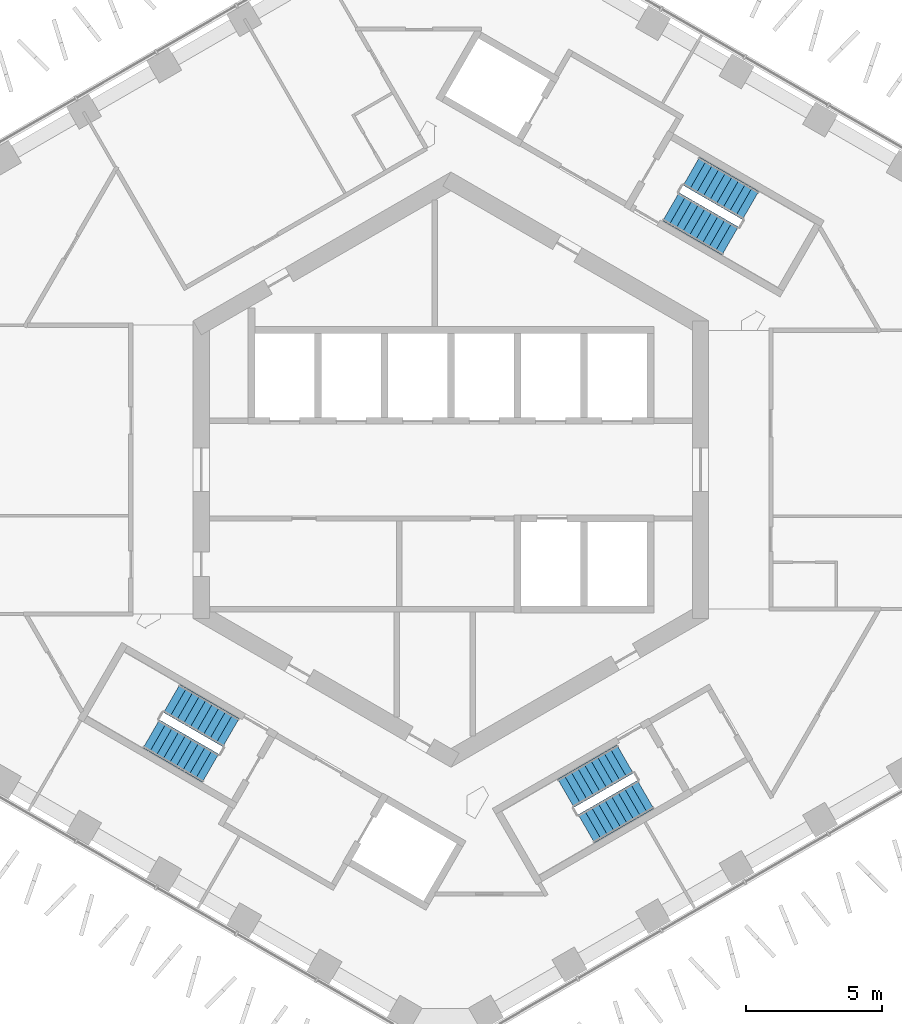
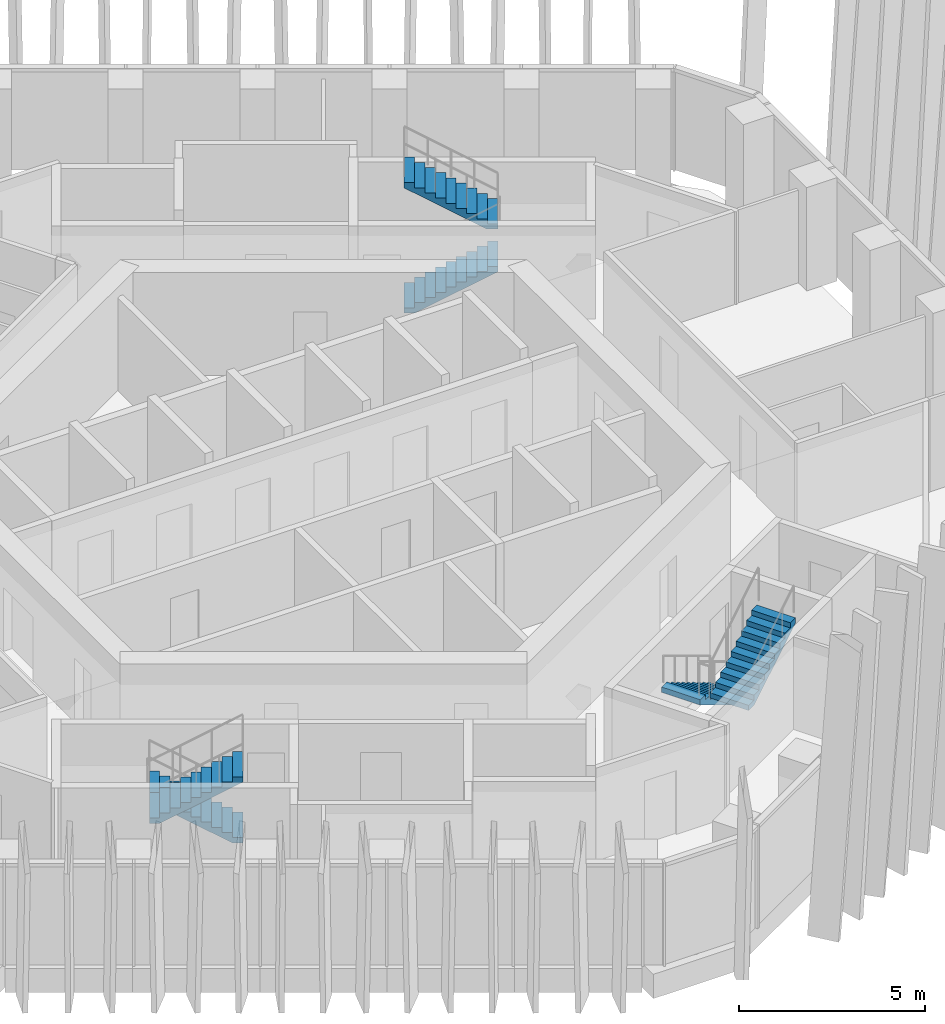
# One storey, part 16 of 20: 6 stair flights, 3 elements without a shape of their own.
"""IFC4 building model written with IfcOpenShell, lengths in metres."""

from ifc_helpers import new_model, si_unit, direction, frame, origin, place, context, subcontext, project, spatial, triangles, material, type_object, element, aggregate, save


model = new_model("IFC4")

# Units and contexts
model_context = context("Model", 3, precision=1e-05, world=origin(), true_north=direction((0.0, 1.0)))
body_context = subcontext(model_context, "Body", "Model", "MODEL_VIEW")
ifc_project = project(units=[si_unit("LENGTHUNIT", "METRE"), si_unit("AREAUNIT", "SQUARE_METRE"), si_unit("VOLUMEUNIT", "CUBIC_METRE"), si_unit("PLANEANGLEUNIT", "RADIAN"), si_unit("MASSUNIT", "GRAM", prefix="KILO")], contexts=[model_context])

# Site, building, storey
site_placement = place(None, origin())
site = spatial("IfcSite", under=ifc_project, at=site_placement, CompositionType="ELEMENT")
building_placement = place(site_placement, origin())
building = spatial("IfcBuilding", under=site, at=building_placement, Name="Ayvan Gate Tower", CompositionType="ELEMENT")
storey_placement = place(building_placement, frame((0.0, 0.0, 162.89990234375)))
storey = spatial("IfcBuildingStorey", under=building, at=storey_placement, Name="L43", CompositionType="ELEMENT", Elevation=162.89990234375)

# Stair, stair flights
ifc_material = material(Name="Concrete C40/50", Category="concrete")
stair_type = type_object("IfcStairType", Name="ST-EXIT", PredefinedType="HALF_TURN_STAIR", material=ifc_material)
stair_1_placement = place(storey_placement, origin())
stair_1 = element("IfcStair", 1, at=stair_1_placement, inside=storey, type_object=stair_type, Name="L43 Exit Stair S1", PredefinedType="HALF_TURN_STAIR")
stair_flight_type = type_object("IfcStairFlightType", Name="SFL-EXIT", PredefinedType="STRAIGHT", material=ifc_material)
stair_flight_1_placement = place(storey_placement, frame((8.106201171875, 9.690185546875, 0.0), z_axis=(0.0, 0.0, 1.0), x_axis=(0.866025403784, -0.5, 0.0)))
stair_flight_1 = element("IfcStairFlight", 2, at=stair_flight_1_placement, type_object=stair_flight_type, Name="STS1 flight 1", NumberOfRisers=10, NumberOfTreads=9, PredefinedType="STRAIGHT", RiserHeight=0.17, TreadLength=0.28, context=body_context, shape_type="Tessellation", body=[
    triangles([(0.288841, -0.599976, 0.0), (2.5205, -0.599976, 1.354936), (2.5205, -0.599976, 1.53), (2.24, -0.599976, 1.53), (2.24, -0.599976, 1.36), (1.96, -0.599976, 1.36), (1.96, -0.599976, 1.19), (1.68, -0.599976, 1.19), (1.68, -0.599976, 1.02), (1.4, -0.599976, 1.02), (1.4, -0.599976, 0.85), (1.12, -0.599976, 0.85), (1.12, -0.599976, 0.68), (0.84, -0.599976, 0.68), (0.84, -0.599976, 0.51), (0.56, -0.599976, 0.51), (0.56, -0.599976, 0.34), (0.28, -0.599976, 0.34), (0.28, -0.599976, 0.17), (-0.0005, -0.599976, 0.17), (-0.0005, -0.599976, 0.0), (0.288841, 0.0, 0.0), (2.5205, 0.0, 1.354936), (2.5205, 0.0, 1.53), (2.24, 0.0, 1.53), (2.24, 0.0, 1.36), (1.96, 0.0, 1.36), (1.96, 0.0, 1.19), (1.68, 0.0, 1.19), (1.68, 0.0, 1.02), (1.4, 0.0, 1.02), (1.4, 0.0, 0.85), (1.12, 0.0, 0.85), (1.12, 0.0, 0.68), (0.84, 0.0, 0.68), (0.84, 0.0, 0.51), (0.56, 0.0, 0.51), (0.56, 0.0, 0.34), (0.28, 0.0, 0.34), (0.28, 0.0, 0.17), (-0.0005, 0.0, 0.17), (-0.0005, 0.0, 0.0), (0.288841, 0.599976, 0.0), (2.5205, 0.599976, 1.354936), (2.5205, 0.599976, 1.53), (2.24, 0.599976, 1.53), (2.24, 0.599976, 1.36), (1.96, 0.599976, 1.36), (1.96, 0.599976, 1.19), (1.68, 0.599976, 1.19), (1.68, 0.599976, 1.02), (1.4, 0.599976, 1.02), (1.4, 0.599976, 0.85), (1.12, 0.599976, 0.85), (1.12, 0.599976, 0.68), (0.84, 0.599976, 0.68), (0.84, 0.599976, 0.51), (0.56, 0.599976, 0.51), (0.56, 0.599976, 0.34), (0.28, 0.599976, 0.34), (0.28, 0.599976, 0.17), (-0.0005, 0.599976, 0.17), (-0.0005, 0.599976, 0.0)], [[21, 1, 2], [63, 44, 43], [2, 3, 4], [44, 46, 45], [2, 4, 5], [44, 47, 46], [2, 5, 6], [44, 48, 47], [2, 6, 7], [44, 49, 48], [7, 8, 9], [49, 51, 50], [2, 7, 9], [44, 51, 49], [9, 10, 11], [51, 53, 52], [2, 9, 11], [44, 53, 51], [11, 12, 13], [53, 55, 54], [2, 11, 13], [44, 55, 53], [13, 14, 15], [55, 57, 56], [2, 13, 15], [44, 57, 55], [15, 16, 17], [57, 59, 58], [2, 15, 17], [44, 59, 57], [17, 18, 19], [59, 61, 60], [2, 17, 19], [44, 61, 59], [21, 2, 19], [63, 61, 44], [19, 20, 21], [61, 63, 62], [1, 22, 23], [1, 23, 2], [43, 23, 22], [43, 44, 23], [2, 23, 24], [2, 24, 3], [44, 24, 23], [44, 45, 24], [3, 24, 25], [3, 25, 4], [45, 25, 24], [45, 46, 25], [4, 25, 26], [4, 26, 5], [46, 26, 25], [46, 47, 26], [5, 26, 27], [5, 27, 6], [47, 27, 26], [47, 48, 27], [6, 27, 28], [6, 28, 7], [48, 28, 27], [48, 49, 28], [7, 28, 29], [7, 29, 8], [49, 29, 28], [49, 50, 29], [8, 29, 30], [8, 30, 9], [50, 30, 29], [50, 51, 30], [9, 30, 31], [9, 31, 10], [51, 31, 30], [51, 52, 31], [10, 31, 32], [10, 32, 11], [52, 32, 31], [52, 53, 32], [11, 32, 33], [11, 33, 12], [53, 33, 32], [53, 54, 33], [12, 33, 34], [12, 34, 13], [54, 34, 33], [54, 55, 34], [13, 34, 35], [13, 35, 14], [55, 35, 34], [55, 56, 35], [14, 35, 36], [14, 36, 15], [56, 36, 35], [56, 57, 36], [15, 36, 37], [15, 37, 16], [57, 37, 36], [57, 58, 37], [16, 37, 38], [16, 38, 17], [58, 38, 37], [58, 59, 38], [17, 38, 39], [17, 39, 18], [59, 39, 38], [59, 60, 39], [18, 39, 40], [18, 40, 19], [60, 40, 39], [60, 61, 40], [19, 40, 41], [19, 41, 20], [61, 41, 40], [61, 62, 41], [20, 41, 42], [20, 42, 21], [62, 42, 41], [62, 63, 42], [21, 42, 22], [21, 22, 1], [63, 22, 42], [63, 43, 22]], closed=True),
])
stair_flight_2_placement = place(storey_placement, frame((11.04345703125, 9.73779296875, 1.7001953125), z_axis=(0.0, 0.0, 1.0), x_axis=(-0.866025403784, 0.5, 0.0)))
stair_flight_2 = element("IfcStairFlight", 3, at=stair_flight_2_placement, type_object=stair_flight_type, Name="STS1 flight 2", NumberOfRisers=10, NumberOfTreads=9, PredefinedType="STRAIGHT", RiserHeight=0.17, TreadLength=0.28, context=body_context, shape_type="Tessellation", body=[
    triangles([(0.288841, -0.599976, 0.0), (2.5205, -0.599976, 1.354936), (2.5205, -0.599976, 1.53), (2.24, -0.599976, 1.53), (2.24, -0.599976, 1.36), (1.96, -0.599976, 1.36), (1.96, -0.599976, 1.19), (1.68, -0.599976, 1.19), (1.68, -0.599976, 1.02), (1.4, -0.599976, 1.02), (1.4, -0.599976, 0.85), (1.12, -0.599976, 0.85), (1.12, -0.599976, 0.68), (0.84, -0.599976, 0.68), (0.84, -0.599976, 0.51), (0.56, -0.599976, 0.51), (0.56, -0.599976, 0.34), (0.28, -0.599976, 0.34), (0.28, -0.599976, 0.17), (-0.0005, -0.599976, 0.17), (-0.0005, -0.599976, 0.0), (0.288841, 0.0, 0.0), (2.5205, 0.0, 1.354936), (2.5205, 0.0, 1.53), (2.24, 0.0, 1.53), (2.24, 0.0, 1.36), (1.96, 0.0, 1.36), (1.96, 0.0, 1.19), (1.68, 0.0, 1.19), (1.68, 0.0, 1.02), (1.4, 0.0, 1.02), (1.4, 0.0, 0.85), (1.12, 0.0, 0.85), (1.12, 0.0, 0.68), (0.84, 0.0, 0.68), (0.84, 0.0, 0.51), (0.56, 0.0, 0.51), (0.56, 0.0, 0.34), (0.28, 0.0, 0.34), (0.28, 0.0, 0.17), (-0.0005, 0.0, 0.17), (-0.0005, 0.0, 0.0), (0.288841, 0.599976, 0.0), (2.5205, 0.599976, 1.354936), (2.5205, 0.599976, 1.53), (2.24, 0.599976, 1.53), (2.24, 0.599976, 1.36), (1.96, 0.599976, 1.36), (1.96, 0.599976, 1.19), (1.68, 0.599976, 1.19), (1.68, 0.599976, 1.02), (1.4, 0.599976, 1.02), (1.4, 0.599976, 0.85), (1.12, 0.599976, 0.85), (1.12, 0.599976, 0.68), (0.84, 0.599976, 0.68), (0.84, 0.599976, 0.51), (0.56, 0.599976, 0.51), (0.56, 0.599976, 0.34), (0.28, 0.599976, 0.34), (0.28, 0.599976, 0.17), (-0.0005, 0.599976, 0.17), (-0.0005, 0.599976, 0.0)], [[21, 1, 2], [63, 44, 43], [2, 3, 4], [44, 46, 45], [2, 4, 5], [44, 47, 46], [2, 5, 6], [44, 48, 47], [2, 6, 7], [44, 49, 48], [7, 8, 9], [49, 51, 50], [2, 7, 9], [44, 51, 49], [9, 10, 11], [51, 53, 52], [2, 9, 11], [44, 53, 51], [11, 12, 13], [53, 55, 54], [2, 11, 13], [44, 55, 53], [13, 14, 15], [55, 57, 56], [2, 13, 15], [44, 57, 55], [15, 16, 17], [57, 59, 58], [2, 15, 17], [44, 59, 57], [17, 18, 19], [59, 61, 60], [2, 17, 19], [44, 61, 59], [21, 2, 19], [63, 61, 44], [19, 20, 21], [61, 63, 62], [1, 22, 23], [1, 23, 2], [43, 23, 22], [43, 44, 23], [2, 23, 24], [2, 24, 3], [44, 24, 23], [44, 45, 24], [3, 24, 25], [3, 25, 4], [45, 25, 24], [45, 46, 25], [4, 25, 26], [4, 26, 5], [46, 26, 25], [46, 47, 26], [5, 26, 27], [5, 27, 6], [47, 27, 26], [47, 48, 27], [6, 27, 28], [6, 28, 7], [48, 28, 27], [48, 49, 28], [7, 28, 29], [7, 29, 8], [49, 29, 28], [49, 50, 29], [8, 29, 30], [8, 30, 9], [50, 30, 29], [50, 51, 30], [9, 30, 31], [9, 31, 10], [51, 31, 30], [51, 52, 31], [10, 31, 32], [10, 32, 11], [52, 32, 31], [52, 53, 32], [11, 32, 33], [11, 33, 12], [53, 33, 32], [53, 54, 33], [12, 33, 34], [12, 34, 13], [54, 34, 33], [54, 55, 34], [13, 34, 35], [13, 35, 14], [55, 35, 34], [55, 56, 35], [14, 35, 36], [14, 36, 15], [56, 36, 35], [56, 57, 36], [15, 36, 37], [15, 37, 16], [57, 37, 36], [57, 58, 37], [16, 37, 38], [16, 38, 17], [58, 38, 37], [58, 59, 38], [17, 38, 39], [17, 39, 18], [59, 39, 38], [59, 60, 39], [18, 39, 40], [18, 40, 19], [60, 40, 39], [60, 61, 40], [19, 40, 41], [19, 41, 20], [61, 41, 40], [61, 62, 41], [20, 41, 42], [20, 42, 21], [62, 42, 41], [62, 63, 42], [21, 42, 22], [21, 22, 1], [63, 22, 42], [63, 43, 22]], closed=True),
])
aggregate(stair_1, [stair_flight_1, stair_flight_2])

stair_2_placement = place(storey_placement, origin())
stair_2 = element("IfcStair", 4, at=stair_2_placement, inside=storey, type_object=stair_type, Name="L43 Exit Stair S2", PredefinedType="HALF_TURN_STAIR")
stair_flight_3_placement = place(storey_placement, frame((-8.106201171875, -9.690185546875, 0.0), z_axis=(0.0, 0.0, 1.0), x_axis=(-0.866025403784, 0.5, 0.0)))
stair_flight_3 = element("IfcStairFlight", 5, at=stair_flight_3_placement, type_object=stair_flight_type, Name="STS2 flight 1", NumberOfRisers=10, NumberOfTreads=9, PredefinedType="STRAIGHT", RiserHeight=0.17, TreadLength=0.28, context=body_context, shape_type="Tessellation", body=[
    triangles([(0.288841, -0.599976, 0.0), (2.5205, -0.599976, 1.354936), (2.5205, -0.599976, 1.53), (2.24, -0.599976, 1.53), (2.24, -0.599976, 1.36), (1.96, -0.599976, 1.36), (1.96, -0.599976, 1.19), (1.68, -0.599976, 1.19), (1.68, -0.599976, 1.02), (1.4, -0.599976, 1.02), (1.4, -0.599976, 0.85), (1.12, -0.599976, 0.85), (1.12, -0.599976, 0.68), (0.84, -0.599976, 0.68), (0.84, -0.599976, 0.51), (0.56, -0.599976, 0.51), (0.56, -0.599976, 0.34), (0.28, -0.599976, 0.34), (0.28, -0.599976, 0.17), (-0.0005, -0.599976, 0.17), (-0.0005, -0.599976, 0.0), (0.288841, 0.0, 0.0), (2.5205, 0.0, 1.354936), (2.5205, 0.0, 1.53), (2.24, 0.0, 1.53), (2.24, 0.0, 1.36), (1.96, 0.0, 1.36), (1.96, 0.0, 1.19), (1.68, 0.0, 1.19), (1.68, 0.0, 1.02), (1.4, 0.0, 1.02), (1.4, 0.0, 0.85), (1.12, 0.0, 0.85), (1.12, 0.0, 0.68), (0.84, 0.0, 0.68), (0.84, 0.0, 0.51), (0.56, 0.0, 0.51), (0.56, 0.0, 0.34), (0.28, 0.0, 0.34), (0.28, 0.0, 0.17), (-0.0005, 0.0, 0.17), (-0.0005, 0.0, 0.0), (0.288841, 0.599976, 0.0), (2.5205, 0.599976, 1.354936), (2.5205, 0.599976, 1.53), (2.24, 0.599976, 1.53), (2.24, 0.599976, 1.36), (1.96, 0.599976, 1.36), (1.96, 0.599976, 1.19), (1.68, 0.599976, 1.19), (1.68, 0.599976, 1.02), (1.4, 0.599976, 1.02), (1.4, 0.599976, 0.85), (1.12, 0.599976, 0.85), (1.12, 0.599976, 0.68), (0.84, 0.599976, 0.68), (0.84, 0.599976, 0.51), (0.56, 0.599976, 0.51), (0.56, 0.599976, 0.34), (0.28, 0.599976, 0.34), (0.28, 0.599976, 0.17), (-0.0005, 0.599976, 0.17), (-0.0005, 0.599976, 0.0)], [[21, 1, 2], [63, 44, 43], [2, 3, 4], [44, 46, 45], [2, 4, 5], [44, 47, 46], [2, 5, 6], [44, 48, 47], [2, 6, 7], [44, 49, 48], [7, 8, 9], [49, 51, 50], [2, 7, 9], [44, 51, 49], [9, 10, 11], [51, 53, 52], [2, 9, 11], [44, 53, 51], [11, 12, 13], [53, 55, 54], [2, 11, 13], [44, 55, 53], [13, 14, 15], [55, 57, 56], [2, 13, 15], [44, 57, 55], [15, 16, 17], [57, 59, 58], [2, 15, 17], [44, 59, 57], [17, 18, 19], [59, 61, 60], [2, 17, 19], [44, 61, 59], [21, 2, 19], [63, 61, 44], [19, 20, 21], [61, 63, 62], [1, 22, 23], [1, 23, 2], [43, 23, 22], [43, 44, 23], [2, 23, 24], [2, 24, 3], [44, 24, 23], [44, 45, 24], [3, 24, 25], [3, 25, 4], [45, 25, 24], [45, 46, 25], [4, 25, 26], [4, 26, 5], [46, 26, 25], [46, 47, 26], [5, 26, 27], [5, 27, 6], [47, 27, 26], [47, 48, 27], [6, 27, 28], [6, 28, 7], [48, 28, 27], [48, 49, 28], [7, 28, 29], [7, 29, 8], [49, 29, 28], [49, 50, 29], [8, 29, 30], [8, 30, 9], [50, 30, 29], [50, 51, 30], [9, 30, 31], [9, 31, 10], [51, 31, 30], [51, 52, 31], [10, 31, 32], [10, 32, 11], [52, 32, 31], [52, 53, 32], [11, 32, 33], [11, 33, 12], [53, 33, 32], [53, 54, 33], [12, 33, 34], [12, 34, 13], [54, 34, 33], [54, 55, 34], [13, 34, 35], [13, 35, 14], [55, 35, 34], [55, 56, 35], [14, 35, 36], [14, 36, 15], [56, 36, 35], [56, 57, 36], [15, 36, 37], [15, 37, 16], [57, 37, 36], [57, 58, 37], [16, 37, 38], [16, 38, 17], [58, 38, 37], [58, 59, 38], [17, 38, 39], [17, 39, 18], [59, 39, 38], [59, 60, 39], [18, 39, 40], [18, 40, 19], [60, 40, 39], [60, 61, 40], [19, 40, 41], [19, 41, 20], [61, 41, 40], [61, 62, 41], [20, 41, 42], [20, 42, 21], [62, 42, 41], [62, 63, 42], [21, 42, 22], [21, 22, 1], [63, 22, 42], [63, 43, 22]], closed=True),
])
stair_flight_4_placement = place(storey_placement, frame((-11.04345703125, -9.73779296875, 1.7001953125), z_axis=(0.0, 0.0, 1.0), x_axis=(0.866025403784, -0.5, 0.0)))
stair_flight_4 = element("IfcStairFlight", 6, at=stair_flight_4_placement, type_object=stair_flight_type, Name="STS2 flight 2", NumberOfRisers=10, NumberOfTreads=9, PredefinedType="STRAIGHT", RiserHeight=0.17, TreadLength=0.28, context=body_context, shape_type="Tessellation", body=[
    triangles([(0.288841, -0.599976, 0.0), (2.5205, -0.599976, 1.354936), (2.5205, -0.599976, 1.53), (2.24, -0.599976, 1.53), (2.24, -0.599976, 1.36), (1.96, -0.599976, 1.36), (1.96, -0.599976, 1.19), (1.68, -0.599976, 1.19), (1.68, -0.599976, 1.02), (1.4, -0.599976, 1.02), (1.4, -0.599976, 0.85), (1.12, -0.599976, 0.85), (1.12, -0.599976, 0.68), (0.84, -0.599976, 0.68), (0.84, -0.599976, 0.51), (0.56, -0.599976, 0.51), (0.56, -0.599976, 0.34), (0.28, -0.599976, 0.34), (0.28, -0.599976, 0.17), (-0.0005, -0.599976, 0.17), (-0.0005, -0.599976, 0.0), (0.288841, 0.0, 0.0), (2.5205, 0.0, 1.354936), (2.5205, 0.0, 1.53), (2.24, 0.0, 1.53), (2.24, 0.0, 1.36), (1.96, 0.0, 1.36), (1.96, 0.0, 1.19), (1.68, 0.0, 1.19), (1.68, 0.0, 1.02), (1.4, 0.0, 1.02), (1.4, 0.0, 0.85), (1.12, 0.0, 0.85), (1.12, 0.0, 0.68), (0.84, 0.0, 0.68), (0.84, 0.0, 0.51), (0.56, 0.0, 0.51), (0.56, 0.0, 0.34), (0.28, 0.0, 0.34), (0.28, 0.0, 0.17), (-0.0005, 0.0, 0.17), (-0.0005, 0.0, 0.0), (0.288841, 0.599976, 0.0), (2.5205, 0.599976, 1.354936), (2.5205, 0.599976, 1.53), (2.24, 0.599976, 1.53), (2.24, 0.599976, 1.36), (1.96, 0.599976, 1.36), (1.96, 0.599976, 1.19), (1.68, 0.599976, 1.19), (1.68, 0.599976, 1.02), (1.4, 0.599976, 1.02), (1.4, 0.599976, 0.85), (1.12, 0.599976, 0.85), (1.12, 0.599976, 0.68), (0.84, 0.599976, 0.68), (0.84, 0.599976, 0.51), (0.56, 0.599976, 0.51), (0.56, 0.599976, 0.34), (0.28, 0.599976, 0.34), (0.28, 0.599976, 0.17), (-0.0005, 0.599976, 0.17), (-0.0005, 0.599976, 0.0)], [[21, 1, 2], [63, 44, 43], [2, 3, 4], [44, 46, 45], [2, 4, 5], [44, 47, 46], [2, 5, 6], [44, 48, 47], [2, 6, 7], [44, 49, 48], [7, 8, 9], [49, 51, 50], [2, 7, 9], [44, 51, 49], [9, 10, 11], [51, 53, 52], [2, 9, 11], [44, 53, 51], [11, 12, 13], [53, 55, 54], [2, 11, 13], [44, 55, 53], [13, 14, 15], [55, 57, 56], [2, 13, 15], [44, 57, 55], [15, 16, 17], [57, 59, 58], [2, 15, 17], [44, 59, 57], [17, 18, 19], [59, 61, 60], [2, 17, 19], [44, 61, 59], [21, 2, 19], [63, 61, 44], [19, 20, 21], [61, 63, 62], [1, 22, 23], [1, 23, 2], [43, 23, 22], [43, 44, 23], [2, 23, 24], [2, 24, 3], [44, 24, 23], [44, 45, 24], [3, 24, 25], [3, 25, 4], [45, 25, 24], [45, 46, 25], [4, 25, 26], [4, 26, 5], [46, 26, 25], [46, 47, 26], [5, 26, 27], [5, 27, 6], [47, 27, 26], [47, 48, 27], [6, 27, 28], [6, 28, 7], [48, 28, 27], [48, 49, 28], [7, 28, 29], [7, 29, 8], [49, 29, 28], [49, 50, 29], [8, 29, 30], [8, 30, 9], [50, 30, 29], [50, 51, 30], [9, 30, 31], [9, 31, 10], [51, 31, 30], [51, 52, 31], [10, 31, 32], [10, 32, 11], [52, 32, 31], [52, 53, 32], [11, 32, 33], [11, 33, 12], [53, 33, 32], [53, 54, 33], [12, 33, 34], [12, 34, 13], [54, 34, 33], [54, 55, 34], [13, 34, 35], [13, 35, 14], [55, 35, 34], [55, 56, 35], [14, 35, 36], [14, 36, 15], [56, 36, 35], [56, 57, 36], [15, 36, 37], [15, 37, 16], [57, 37, 36], [57, 58, 37], [16, 37, 38], [16, 38, 17], [58, 38, 37], [58, 59, 38], [17, 38, 39], [17, 39, 18], [59, 39, 38], [59, 60, 39], [18, 39, 40], [18, 40, 19], [60, 40, 39], [60, 61, 40], [19, 40, 41], [19, 41, 20], [61, 41, 40], [61, 62, 41], [20, 41, 42], [20, 42, 21], [62, 42, 41], [62, 63, 42], [21, 42, 22], [21, 22, 1], [63, 22, 42], [63, 43, 22]], closed=True),
])
aggregate(stair_2, [stair_flight_3, stair_flight_4])

stair_3_placement = place(storey_placement, origin())
stair_3 = element("IfcStair", 7, at=stair_3_placement, inside=storey, type_object=stair_type, Name="L43 Exit Stair S3", PredefinedType="HALF_TURN_STAIR")
stair_flight_5_placement = place(storey_placement, frame((6.417236328125, -10.665283203125, 0.0), z_axis=(0.0, 0.0, 1.0), x_axis=(-0.866025403784, -0.5, 0.0)))
stair_flight_5 = element("IfcStairFlight", 8, at=stair_flight_5_placement, type_object=stair_flight_type, Name="STS3 flight 1", NumberOfRisers=10, NumberOfTreads=9, PredefinedType="STRAIGHT", RiserHeight=0.17, TreadLength=0.28, context=body_context, shape_type="Tessellation", body=[
    triangles([(0.288841, -0.599976, 0.0), (2.5205, -0.599976, 1.354936), (2.5205, -0.599976, 1.53), (2.24, -0.599976, 1.53), (2.24, -0.599976, 1.36), (1.96, -0.599976, 1.36), (1.96, -0.599976, 1.19), (1.68, -0.599976, 1.19), (1.68, -0.599976, 1.02), (1.4, -0.599976, 1.02), (1.4, -0.599976, 0.85), (1.12, -0.599976, 0.85), (1.12, -0.599976, 0.68), (0.84, -0.599976, 0.68), (0.84, -0.599976, 0.51), (0.56, -0.599976, 0.51), (0.56, -0.599976, 0.34), (0.28, -0.599976, 0.34), (0.28, -0.599976, 0.17), (-0.0005, -0.599976, 0.17), (-0.0005, -0.599976, 0.0), (0.288841, 0.0, 0.0), (2.5205, 0.0, 1.354936), (2.5205, 0.0, 1.53), (2.24, 0.0, 1.53), (2.24, 0.0, 1.36), (1.96, 0.0, 1.36), (1.96, 0.0, 1.19), (1.68, 0.0, 1.19), (1.68, 0.0, 1.02), (1.4, 0.0, 1.02), (1.4, 0.0, 0.85), (1.12, 0.0, 0.85), (1.12, 0.0, 0.68), (0.84, 0.0, 0.68), (0.84, 0.0, 0.51), (0.56, 0.0, 0.51), (0.56, 0.0, 0.34), (0.28, 0.0, 0.34), (0.28, 0.0, 0.17), (-0.0005, 0.0, 0.17), (-0.0005, 0.0, 0.0), (0.288841, 0.599976, 0.0), (2.5205, 0.599976, 1.354936), (2.5205, 0.599976, 1.53), (2.24, 0.599976, 1.53), (2.24, 0.599976, 1.36), (1.96, 0.599976, 1.36), (1.96, 0.599976, 1.19), (1.68, 0.599976, 1.19), (1.68, 0.599976, 1.02), (1.4, 0.599976, 1.02), (1.4, 0.599976, 0.85), (1.12, 0.599976, 0.85), (1.12, 0.599976, 0.68), (0.84, 0.599976, 0.68), (0.84, 0.599976, 0.51), (0.56, 0.599976, 0.51), (0.56, 0.599976, 0.34), (0.28, 0.599976, 0.34), (0.28, 0.599976, 0.17), (-0.0005, 0.599976, 0.17), (-0.0005, 0.599976, 0.0)], [[21, 1, 2], [63, 44, 43], [2, 3, 4], [44, 46, 45], [2, 4, 5], [44, 47, 46], [2, 5, 6], [44, 48, 47], [2, 6, 7], [44, 49, 48], [7, 8, 9], [49, 51, 50], [2, 7, 9], [44, 51, 49], [9, 10, 11], [51, 53, 52], [2, 9, 11], [44, 53, 51], [11, 12, 13], [53, 55, 54], [2, 11, 13], [44, 55, 53], [13, 14, 15], [55, 57, 56], [2, 13, 15], [44, 57, 55], [15, 16, 17], [57, 59, 58], [2, 15, 17], [44, 59, 57], [17, 18, 19], [59, 61, 60], [2, 17, 19], [44, 61, 59], [21, 2, 19], [63, 61, 44], [19, 20, 21], [61, 63, 62], [1, 22, 23], [1, 23, 2], [43, 23, 22], [43, 44, 23], [2, 23, 24], [2, 24, 3], [44, 24, 23], [44, 45, 24], [3, 24, 25], [3, 25, 4], [45, 25, 24], [45, 46, 25], [4, 25, 26], [4, 26, 5], [46, 26, 25], [46, 47, 26], [5, 26, 27], [5, 27, 6], [47, 27, 26], [47, 48, 27], [6, 27, 28], [6, 28, 7], [48, 28, 27], [48, 49, 28], [7, 28, 29], [7, 29, 8], [49, 29, 28], [49, 50, 29], [8, 29, 30], [8, 30, 9], [50, 30, 29], [50, 51, 30], [9, 30, 31], [9, 31, 10], [51, 31, 30], [51, 52, 31], [10, 31, 32], [10, 32, 11], [52, 32, 31], [52, 53, 32], [11, 32, 33], [11, 33, 12], [53, 33, 32], [53, 54, 33], [12, 33, 34], [12, 34, 13], [54, 34, 33], [54, 55, 34], [13, 34, 35], [13, 35, 14], [55, 35, 34], [55, 56, 35], [14, 35, 36], [14, 36, 15], [56, 36, 35], [56, 57, 36], [15, 36, 37], [15, 37, 16], [57, 37, 36], [57, 58, 37], [16, 37, 38], [16, 38, 17], [58, 38, 37], [58, 59, 38], [17, 38, 39], [17, 39, 18], [59, 39, 38], [59, 60, 39], [18, 39, 40], [18, 40, 19], [60, 40, 39], [60, 61, 40], [19, 40, 41], [19, 41, 20], [61, 41, 40], [61, 62, 41], [20, 41, 42], [20, 42, 21], [62, 42, 41], [62, 63, 42], [21, 42, 22], [21, 22, 1], [63, 22, 42], [63, 43, 22]], closed=True),
])
stair_flight_6_placement = place(storey_placement, frame((4.989990234375, -13.23291015625, 1.7001953125), z_axis=(0.0, 0.0, 1.0), x_axis=(0.866025403784, 0.5, 0.0)))
stair_flight_6 = element("IfcStairFlight", 9, at=stair_flight_6_placement, type_object=stair_flight_type, Name="STS3 flight 2", NumberOfRisers=10, NumberOfTreads=9, PredefinedType="STRAIGHT", RiserHeight=0.17, TreadLength=0.28, context=body_context, shape_type="Tessellation", body=[
    triangles([(0.288841, -0.599976, 0.0), (2.5205, -0.599976, 1.354936), (2.5205, -0.599976, 1.53), (2.24, -0.599976, 1.53), (2.24, -0.599976, 1.36), (1.96, -0.599976, 1.36), (1.96, -0.599976, 1.19), (1.68, -0.599976, 1.19), (1.68, -0.599976, 1.02), (1.4, -0.599976, 1.02), (1.4, -0.599976, 0.85), (1.12, -0.599976, 0.85), (1.12, -0.599976, 0.68), (0.84, -0.599976, 0.68), (0.84, -0.599976, 0.51), (0.56, -0.599976, 0.51), (0.56, -0.599976, 0.34), (0.28, -0.599976, 0.34), (0.28, -0.599976, 0.17), (-0.0005, -0.599976, 0.17), (-0.0005, -0.599976, 0.0), (0.288841, 0.0, 0.0), (2.5205, 0.0, 1.354936), (2.5205, 0.0, 1.53), (2.24, 0.0, 1.53), (2.24, 0.0, 1.36), (1.96, 0.0, 1.36), (1.96, 0.0, 1.19), (1.68, 0.0, 1.19), (1.68, 0.0, 1.02), (1.4, 0.0, 1.02), (1.4, 0.0, 0.85), (1.12, 0.0, 0.85), (1.12, 0.0, 0.68), (0.84, 0.0, 0.68), (0.84, 0.0, 0.51), (0.56, 0.0, 0.51), (0.56, 0.0, 0.34), (0.28, 0.0, 0.34), (0.28, 0.0, 0.17), (-0.0005, 0.0, 0.17), (-0.0005, 0.0, 0.0), (0.288841, 0.599976, 0.0), (2.5205, 0.599976, 1.354936), (2.5205, 0.599976, 1.53), (2.24, 0.599976, 1.53), (2.24, 0.599976, 1.36), (1.96, 0.599976, 1.36), (1.96, 0.599976, 1.19), (1.68, 0.599976, 1.19), (1.68, 0.599976, 1.02), (1.4, 0.599976, 1.02), (1.4, 0.599976, 0.85), (1.12, 0.599976, 0.85), (1.12, 0.599976, 0.68), (0.84, 0.599976, 0.68), (0.84, 0.599976, 0.51), (0.56, 0.599976, 0.51), (0.56, 0.599976, 0.34), (0.28, 0.599976, 0.34), (0.28, 0.599976, 0.17), (-0.0005, 0.599976, 0.17), (-0.0005, 0.599976, 0.0)], [[21, 1, 2], [63, 44, 43], [2, 3, 4], [44, 46, 45], [2, 4, 5], [44, 47, 46], [2, 5, 6], [44, 48, 47], [2, 6, 7], [44, 49, 48], [7, 8, 9], [49, 51, 50], [2, 7, 9], [44, 51, 49], [9, 10, 11], [51, 53, 52], [2, 9, 11], [44, 53, 51], [11, 12, 13], [53, 55, 54], [2, 11, 13], [44, 55, 53], [13, 14, 15], [55, 57, 56], [2, 13, 15], [44, 57, 55], [15, 16, 17], [57, 59, 58], [2, 15, 17], [44, 59, 57], [17, 18, 19], [59, 61, 60], [2, 17, 19], [44, 61, 59], [21, 2, 19], [63, 61, 44], [19, 20, 21], [61, 63, 62], [1, 22, 23], [1, 23, 2], [43, 23, 22], [43, 44, 23], [2, 23, 24], [2, 24, 3], [44, 24, 23], [44, 45, 24], [3, 24, 25], [3, 25, 4], [45, 25, 24], [45, 46, 25], [4, 25, 26], [4, 26, 5], [46, 26, 25], [46, 47, 26], [5, 26, 27], [5, 27, 6], [47, 27, 26], [47, 48, 27], [6, 27, 28], [6, 28, 7], [48, 28, 27], [48, 49, 28], [7, 28, 29], [7, 29, 8], [49, 29, 28], [49, 50, 29], [8, 29, 30], [8, 30, 9], [50, 30, 29], [50, 51, 30], [9, 30, 31], [9, 31, 10], [51, 31, 30], [51, 52, 31], [10, 31, 32], [10, 32, 11], [52, 32, 31], [52, 53, 32], [11, 32, 33], [11, 33, 12], [53, 33, 32], [53, 54, 33], [12, 33, 34], [12, 34, 13], [54, 34, 33], [54, 55, 34], [13, 34, 35], [13, 35, 14], [55, 35, 34], [55, 56, 35], [14, 35, 36], [14, 36, 15], [56, 36, 35], [56, 57, 36], [15, 36, 37], [15, 37, 16], [57, 37, 36], [57, 58, 37], [16, 37, 38], [16, 38, 17], [58, 38, 37], [58, 59, 38], [17, 38, 39], [17, 39, 18], [59, 39, 38], [59, 60, 39], [18, 39, 40], [18, 40, 19], [60, 40, 39], [60, 61, 40], [19, 40, 41], [19, 41, 20], [61, 41, 40], [61, 62, 41], [20, 41, 42], [20, 42, 21], [62, 42, 41], [62, 63, 42], [21, 42, 22], [21, 22, 1], [63, 22, 42], [63, 43, 22]], closed=True),
])
aggregate(stair_3, [stair_flight_5, stair_flight_6])

save(model, "model.ifc")
